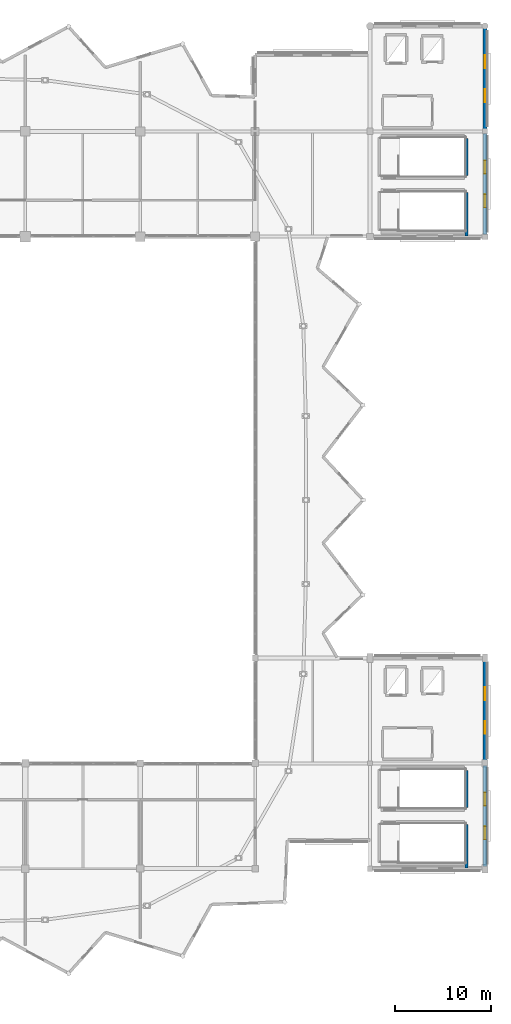
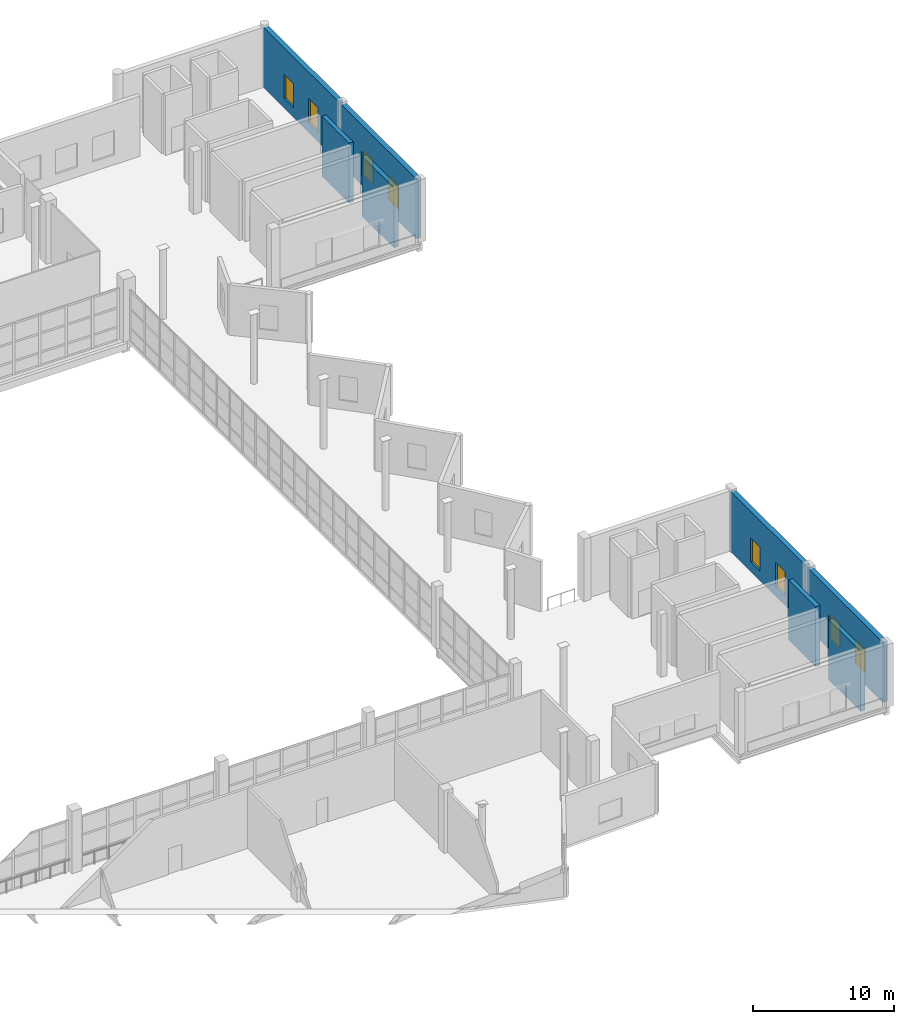
# One storey, part 45 of 49: 8 walls, 8 windows, 8 openings.
"""IFC4 building model written with IfcOpenShell, lengths in metres."""

from ifc_helpers import new_model, si_unit, direction, frame, frame_2d, origin, place, context, subcontext, project, spatial, rectangle, extrude, material, layer, layer_set, type_object, element, fill, save


model = new_model("IFC4")

# Units and contexts
model_context = context("Model", 3, precision=1e-05, world=origin(), true_north=direction((0.0, 1.0)))
body_context = subcontext(model_context, "Body", "Model", "MODEL_VIEW")
ifc_project = project(units=[si_unit("LENGTHUNIT", "METRE"), si_unit("AREAUNIT", "SQUARE_METRE"), si_unit("VOLUMEUNIT", "CUBIC_METRE"), si_unit("PLANEANGLEUNIT", "RADIAN"), si_unit("MASSUNIT", "GRAM", prefix="KILO")], contexts=[model_context])

# Site, building, storey
site_placement = place(None, origin())
site = spatial("IfcSite", under=ifc_project, at=site_placement, CompositionType="ELEMENT")
building_placement = place(site_placement, origin())
building = spatial("IfcBuilding", under=site, at=building_placement, Name="Luwafu Chhajja Arena", CompositionType="ELEMENT")
storey_placement = place(building_placement, frame((0.0, 0.0, 24.300048828125)))
storey = spatial("IfcBuildingStorey", under=building, at=storey_placement, Name="L05", CompositionType="ELEMENT", Elevation=24.300048828125)

# Walls
ifc_material_1 = material(Name="Concrete C40/50", Category="concrete")
ifc_layer_1 = layer(ifc_material_1, 0.35009765625, Name="Concrete C40/50")
ifc_layer_set_1 = layer_set([ifc_layer_1], Name="Concrete C40/50")
wall_type_1 = type_object("IfcWallType", Name="RC Core Shear Wall 350", PredefinedType="SOLIDWALL", material=ifc_layer_set_1)
wall_1_placement = place(storey_placement, frame((162.072021484375, 11.050048828125, 0.0), z_axis=(0.0, 0.0, 1.0), x_axis=(0.0, 1.0, 0.0)))
element("IfcWall", 1, at=wall_1_placement, inside=storey, type_object=wall_type_1, Name="L05 Stair ST-03 Core Shear Wall E", PredefinedType="SOLIDWALL", context=body_context, shape_type="SweptSolid", body=[
    extrude(rectangle(XDim=4.5400390625, YDim=0.35009765625, at=frame_2d((2.27001953125, 0.0))), origin(), (0.0, 0.0, 1.0), 5.179931640625),
])
wall_2_placement = place(storey_placement, frame((162.072021484375, 17.409912109375, 0.0), z_axis=(0.0, 0.0, 1.0), x_axis=(0.0, 1.0, 0.0)))
element("IfcWall", 2, at=wall_2_placement, inside=storey, type_object=wall_type_1, Name="L05 Stair ST-04 Core Shear Wall E", PredefinedType="SOLIDWALL", context=body_context, shape_type="SweptSolid", body=[
    extrude(rectangle(XDim=3.840087890625, YDim=0.35009765625, at=frame_2d((1.919921875, 0.0))), origin(), (0.0, 0.0, 1.0), 5.179931640625),
])
wall_3_placement = place(storey_placement, frame((162.072021484375, 77.050048828125, 0.0), z_axis=(0.0, 0.0, 1.0), x_axis=(0.0, 1.0, 0.0)))
element("IfcWall", 3, at=wall_3_placement, inside=storey, type_object=wall_type_1, Name="L05 Stair ST-07 Core Shear Wall E", PredefinedType="SOLIDWALL", context=body_context, shape_type="SweptSolid", body=[
    extrude(rectangle(XDim=4.5400390625, YDim=0.35009765625, at=frame_2d((2.27001953125, 0.0))), origin(), (0.0, 0.0, 1.0), 5.179931640625),
])
wall_4_placement = place(storey_placement, frame((162.072021484375, 83.409912109375, 0.0), z_axis=(0.0, 0.0, 1.0), x_axis=(0.0, 1.0, 0.0)))
element("IfcWall", 4, at=wall_4_placement, inside=storey, type_object=wall_type_1, Name="L05 Stair ST-08 Core Shear Wall E", PredefinedType="SOLIDWALL", context=body_context, shape_type="SweptSolid", body=[
    extrude(rectangle(XDim=3.840087890625, YDim=0.35009765625, at=frame_2d((1.919921875, 0.0))), origin(), (0.0, 0.0, 1.0), 5.179931640625),
])

# Wall, openings, windows
ifc_layer_2 = layer(ifc_material_1, 0.39990234375, Name="Concrete C40/50")
ifc_layer_set_2 = layer_set([ifc_layer_2], Name="Concrete C40/50")
wall_type_2 = type_object("IfcWallType", Name="RC Core Shear Wall 400", PredefinedType="SOLIDWALL", material=ifc_layer_set_2)
wall_5_placement = place(storey_placement, frame((164.0, 11.219970703125, 0.0), z_axis=(0.0, 0.0, 1.0), x_axis=(0.0, 1.0, 0.0)))
wall_5 = element("IfcWall", 5, at=wall_5_placement, inside=storey, type_object=wall_type_2, Name="L05 Exterior Wall WEX-L05-247", PredefinedType="SOLIDWALL", context=body_context, shape_type="SweptSolid", body=[
    extrude(rectangle(XDim=10.56005859375, YDim=0.39990234375, at=frame_2d((5.280029296875, 0.0))), origin(), (0.0, 0.0, 1.0), 5.18505859375),
])
opening_1_placement = place(wall_5_placement, frame((2.844970703125, 0.0, 0.800048828125)))
opening_1 = element("IfcOpeningElement", 6, at=opening_1_placement, cuts=wall_5, Name="Opening WN-17", PredefinedType="OPENING", context=body_context, shape_type="SweptSolid", body=[
    extrude(rectangle(XDim=1.35009765625, YDim=2.10009765625, at=frame_2d((0.675048828125, 1.050048828125))), frame((0.0, 0.2099609375, 0.0), z_axis=(0.0, -1.0, 0.0), x_axis=(1.0, 0.0, 0.0)), (0.0, 0.0, 1.0), 0.419921875),
])
opening_2_placement = place(wall_5_placement, frame((6.364990234375, 0.0, 0.800048828125)))
opening_2 = element("IfcOpeningElement", 7, at=opening_2_placement, cuts=wall_5, Name="Opening WN-17", PredefinedType="OPENING", context=body_context, shape_type="SweptSolid", body=[
    extrude(rectangle(XDim=1.35009765625, YDim=2.10009765625, at=frame_2d((0.675048828125, 1.050048828125))), frame((0.0, 0.2099609375, 0.0), z_axis=(0.0, -1.0, 0.0), x_axis=(1.0, 0.0, 0.0)), (0.0, 0.0, 1.0), 0.419921875),
])
ifc_material_2 = material(Name="Solar-control laminated glass", Category="glass")
window_type = type_object("IfcWindowType", Name="Exhibition Mezzanine Lancet Window 1350x2100", PartitioningType="SINGLE_PANEL", PredefinedType="WINDOW", material=ifc_material_2)
window_1_placement = place(opening_1_placement, origin())
window_1 = element("IfcWindow", 8, at=window_1_placement, inside=storey, type_object=window_type, Name="L05 Facade Window 238", OverallHeight=2.10009765625, OverallWidth=1.35009765625, PartitioningType="SINGLE_PANEL", PredefinedType="WINDOW", context=body_context, shape_type="SweptSolid", body=[
    extrude(rectangle(XDim=1.35009765625, YDim=2.10009765625, at=frame_2d((0.675048828125, 1.050048828125))), frame((0.0, 0.030029296875, 0.0), z_axis=(0.0, -1.0, 0.0), x_axis=(1.0, 0.0, 0.0)), (0.0, 0.0, 1.0), 0.06005859375),
])
fill(opening_1, window_1)
window_2_placement = place(opening_2_placement, origin())
window_2 = element("IfcWindow", 9, at=window_2_placement, inside=storey, type_object=window_type, Name="L05 Facade Window 239", OverallHeight=2.10009765625, OverallWidth=1.35009765625, PartitioningType="SINGLE_PANEL", PredefinedType="WINDOW", context=body_context, shape_type="SweptSolid", body=[
    extrude(rectangle(XDim=1.35009765625, YDim=2.10009765625, at=frame_2d((0.675048828125, 1.050048828125))), frame((0.0, 0.030029296875, 0.0), z_axis=(0.0, -1.0, 0.0), x_axis=(1.0, 0.0, 0.0)), (0.0, 0.0, 1.0), 0.06005859375),
])
fill(opening_2, window_2)

wall_6_placement = place(storey_placement, frame((164.0, 22.219970703125, 0.0), z_axis=(0.0, 0.0, 1.0), x_axis=(0.0, 1.0, 0.0)))
wall_6 = element("IfcWall", 10, at=wall_6_placement, inside=storey, type_object=wall_type_2, Name="L05 Exterior Wall WEX-L05-249", PredefinedType="SOLIDWALL", context=body_context, shape_type="SweptSolid", body=[
    extrude(rectangle(XDim=10.56005859375, YDim=0.39990234375, at=frame_2d((5.280029296875, 0.0))), origin(), (0.0, 0.0, 1.0), 5.18505859375),
])
opening_3_placement = place(wall_6_placement, frame((2.844970703125, 0.0, 0.800048828125)))
opening_3 = element("IfcOpeningElement", 11, at=opening_3_placement, cuts=wall_6, Name="Opening WN-17", PredefinedType="OPENING", context=body_context, shape_type="SweptSolid", body=[
    extrude(rectangle(XDim=1.35009765625, YDim=2.10009765625, at=frame_2d((0.675048828125, 1.050048828125))), frame((0.0, 0.2099609375, 0.0), z_axis=(0.0, -1.0, 0.0), x_axis=(1.0, 0.0, 0.0)), (0.0, 0.0, 1.0), 0.419921875),
])
opening_4_placement = place(wall_6_placement, frame((6.364990234375, 0.0, 0.800048828125)))
opening_4 = element("IfcOpeningElement", 12, at=opening_4_placement, cuts=wall_6, Name="Opening WN-17", PredefinedType="OPENING", context=body_context, shape_type="SweptSolid", body=[
    extrude(rectangle(XDim=1.35009765625, YDim=2.10009765625, at=frame_2d((0.675048828125, 1.050048828125))), frame((0.0, 0.2099609375, 0.0), z_axis=(0.0, -1.0, 0.0), x_axis=(1.0, 0.0, 0.0)), (0.0, 0.0, 1.0), 0.419921875),
])
window_3_placement = place(opening_3_placement, origin())
window_3 = element("IfcWindow", 13, at=window_3_placement, inside=storey, type_object=window_type, Name="L05 Facade Window 242", OverallHeight=2.10009765625, OverallWidth=1.35009765625, PartitioningType="SINGLE_PANEL", PredefinedType="WINDOW", context=body_context, shape_type="SweptSolid", body=[
    extrude(rectangle(XDim=1.35009765625, YDim=2.10009765625, at=frame_2d((0.675048828125, 1.050048828125))), frame((0.0, 0.030029296875, 0.0), z_axis=(0.0, -1.0, 0.0), x_axis=(1.0, 0.0, 0.0)), (0.0, 0.0, 1.0), 0.06005859375),
])
fill(opening_3, window_3)
window_4_placement = place(opening_4_placement, origin())
window_4 = element("IfcWindow", 14, at=window_4_placement, inside=storey, type_object=window_type, Name="L05 Facade Window 243", OverallHeight=2.10009765625, OverallWidth=1.35009765625, PartitioningType="SINGLE_PANEL", PredefinedType="WINDOW", context=body_context, shape_type="SweptSolid", body=[
    extrude(rectangle(XDim=1.35009765625, YDim=2.10009765625, at=frame_2d((0.675048828125, 1.050048828125))), frame((0.0, 0.030029296875, 0.0), z_axis=(0.0, -1.0, 0.0), x_axis=(1.0, 0.0, 0.0)), (0.0, 0.0, 1.0), 0.06005859375),
])
fill(opening_4, window_4)

wall_7_placement = place(storey_placement, frame((164.0, 77.219970703125, 0.0), z_axis=(0.0, 0.0, 1.0), x_axis=(0.0, 1.0, 0.0)))
wall_7 = element("IfcWall", 15, at=wall_7_placement, inside=storey, type_object=wall_type_2, Name="L05 Exterior Wall WEX-L05-251", PredefinedType="SOLIDWALL", context=body_context, shape_type="SweptSolid", body=[
    extrude(rectangle(XDim=10.56005859375, YDim=0.39990234375, at=frame_2d((5.280029296875, 0.0))), origin(), (0.0, 0.0, 1.0), 5.18505859375),
])
opening_5_placement = place(wall_7_placement, frame((2.844970703125, 0.0, 0.800048828125)))
opening_5 = element("IfcOpeningElement", 16, at=opening_5_placement, cuts=wall_7, Name="Opening WN-17", PredefinedType="OPENING", context=body_context, shape_type="SweptSolid", body=[
    extrude(rectangle(XDim=1.35009765625, YDim=2.10009765625, at=frame_2d((0.675048828125, 1.050048828125))), frame((0.0, 0.2099609375, 0.0), z_axis=(0.0, -1.0, 0.0), x_axis=(1.0, 0.0, 0.0)), (0.0, 0.0, 1.0), 0.419921875),
])
opening_6_placement = place(wall_7_placement, frame((6.364990234375, 0.0, 0.800048828125)))
opening_6 = element("IfcOpeningElement", 17, at=opening_6_placement, cuts=wall_7, Name="Opening WN-17", PredefinedType="OPENING", context=body_context, shape_type="SweptSolid", body=[
    extrude(rectangle(XDim=1.35009765625, YDim=2.10009765625, at=frame_2d((0.675048828125, 1.050048828125))), frame((0.0, 0.2099609375, 0.0), z_axis=(0.0, -1.0, 0.0), x_axis=(1.0, 0.0, 0.0)), (0.0, 0.0, 1.0), 0.419921875),
])
window_5_placement = place(opening_5_placement, origin())
window_5 = element("IfcWindow", 18, at=window_5_placement, inside=storey, type_object=window_type, Name="L05 Facade Window 246", OverallHeight=2.10009765625, OverallWidth=1.35009765625, PartitioningType="SINGLE_PANEL", PredefinedType="WINDOW", context=body_context, shape_type="SweptSolid", body=[
    extrude(rectangle(XDim=1.35009765625, YDim=2.10009765625, at=frame_2d((0.675048828125, 1.050048828125))), frame((0.0, 0.030029296875, 0.0), z_axis=(0.0, -1.0, 0.0), x_axis=(1.0, 0.0, 0.0)), (0.0, 0.0, 1.0), 0.06005859375),
])
fill(opening_5, window_5)
window_6_placement = place(opening_6_placement, origin())
window_6 = element("IfcWindow", 19, at=window_6_placement, inside=storey, type_object=window_type, Name="L05 Facade Window 247", OverallHeight=2.10009765625, OverallWidth=1.35009765625, PartitioningType="SINGLE_PANEL", PredefinedType="WINDOW", context=body_context, shape_type="SweptSolid", body=[
    extrude(rectangle(XDim=1.35009765625, YDim=2.10009765625, at=frame_2d((0.675048828125, 1.050048828125))), frame((0.0, 0.030029296875, 0.0), z_axis=(0.0, -1.0, 0.0), x_axis=(1.0, 0.0, 0.0)), (0.0, 0.0, 1.0), 0.06005859375),
])
fill(opening_6, window_6)

wall_8_placement = place(storey_placement, frame((164.0, 88.219970703125, 0.0), z_axis=(0.0, 0.0, 1.0), x_axis=(0.0, 1.0, 0.0)))
wall_8 = element("IfcWall", 20, at=wall_8_placement, inside=storey, type_object=wall_type_2, Name="L05 Exterior Wall WEX-L05-253", PredefinedType="SOLIDWALL", context=body_context, shape_type="SweptSolid", body=[
    extrude(rectangle(XDim=10.56005859375, YDim=0.39990234375, at=frame_2d((5.280029296875, 0.0))), origin(), (0.0, 0.0, 1.0), 5.18505859375),
])
opening_7_placement = place(wall_8_placement, frame((2.844970703125, 0.0, 0.800048828125)))
opening_7 = element("IfcOpeningElement", 21, at=opening_7_placement, cuts=wall_8, Name="Opening WN-17", PredefinedType="OPENING", context=body_context, shape_type="SweptSolid", body=[
    extrude(rectangle(XDim=1.35009765625, YDim=2.10009765625, at=frame_2d((0.675048828125, 1.050048828125))), frame((0.0, 0.2099609375, 0.0), z_axis=(0.0, -1.0, 0.0), x_axis=(1.0, 0.0, 0.0)), (0.0, 0.0, 1.0), 0.419921875),
])
opening_8_placement = place(wall_8_placement, frame((6.364990234375, 0.0, 0.800048828125)))
opening_8 = element("IfcOpeningElement", 22, at=opening_8_placement, cuts=wall_8, Name="Opening WN-17", PredefinedType="OPENING", context=body_context, shape_type="SweptSolid", body=[
    extrude(rectangle(XDim=1.35009765625, YDim=2.10009765625, at=frame_2d((0.675048828125, 1.050048828125))), frame((0.0, 0.2099609375, 0.0), z_axis=(0.0, -1.0, 0.0), x_axis=(1.0, 0.0, 0.0)), (0.0, 0.0, 1.0), 0.419921875),
])
window_7_placement = place(opening_7_placement, origin())
window_7 = element("IfcWindow", 23, at=window_7_placement, inside=storey, type_object=window_type, Name="L05 Facade Window 250", OverallHeight=2.10009765625, OverallWidth=1.35009765625, PartitioningType="SINGLE_PANEL", PredefinedType="WINDOW", context=body_context, shape_type="SweptSolid", body=[
    extrude(rectangle(XDim=1.35009765625, YDim=2.10009765625, at=frame_2d((0.675048828125, 1.050048828125))), frame((0.0, 0.030029296875, 0.0), z_axis=(0.0, -1.0, 0.0), x_axis=(1.0, 0.0, 0.0)), (0.0, 0.0, 1.0), 0.06005859375),
])
fill(opening_7, window_7)
window_8_placement = place(opening_8_placement, origin())
window_8 = element("IfcWindow", 24, at=window_8_placement, inside=storey, type_object=window_type, Name="L05 Facade Window 251", OverallHeight=2.10009765625, OverallWidth=1.35009765625, PartitioningType="SINGLE_PANEL", PredefinedType="WINDOW", context=body_context, shape_type="SweptSolid", body=[
    extrude(rectangle(XDim=1.35009765625, YDim=2.10009765625, at=frame_2d((0.675048828125, 1.050048828125))), frame((0.0, 0.030029296875, 0.0), z_axis=(0.0, -1.0, 0.0), x_axis=(1.0, 0.0, 0.0)), (0.0, 0.0, 1.0), 0.06005859375),
])
fill(opening_8, window_8)

save(model, "model.ifc")
